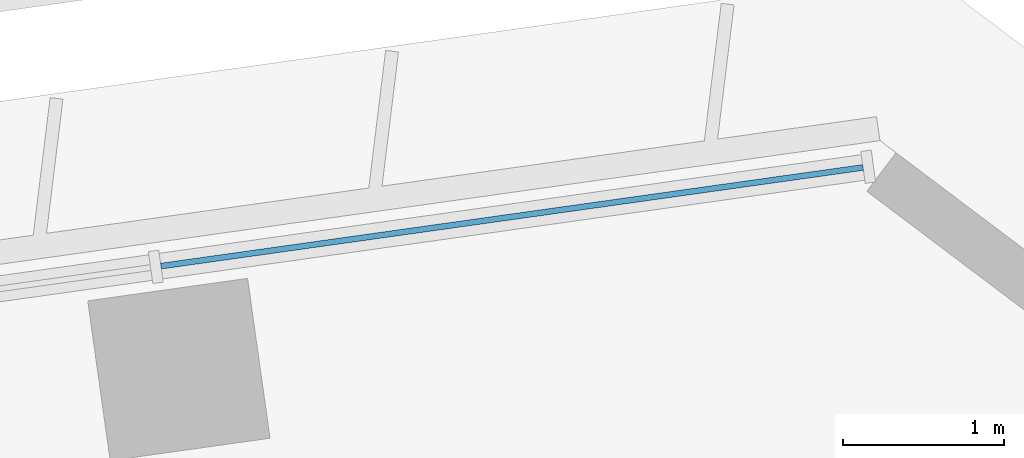
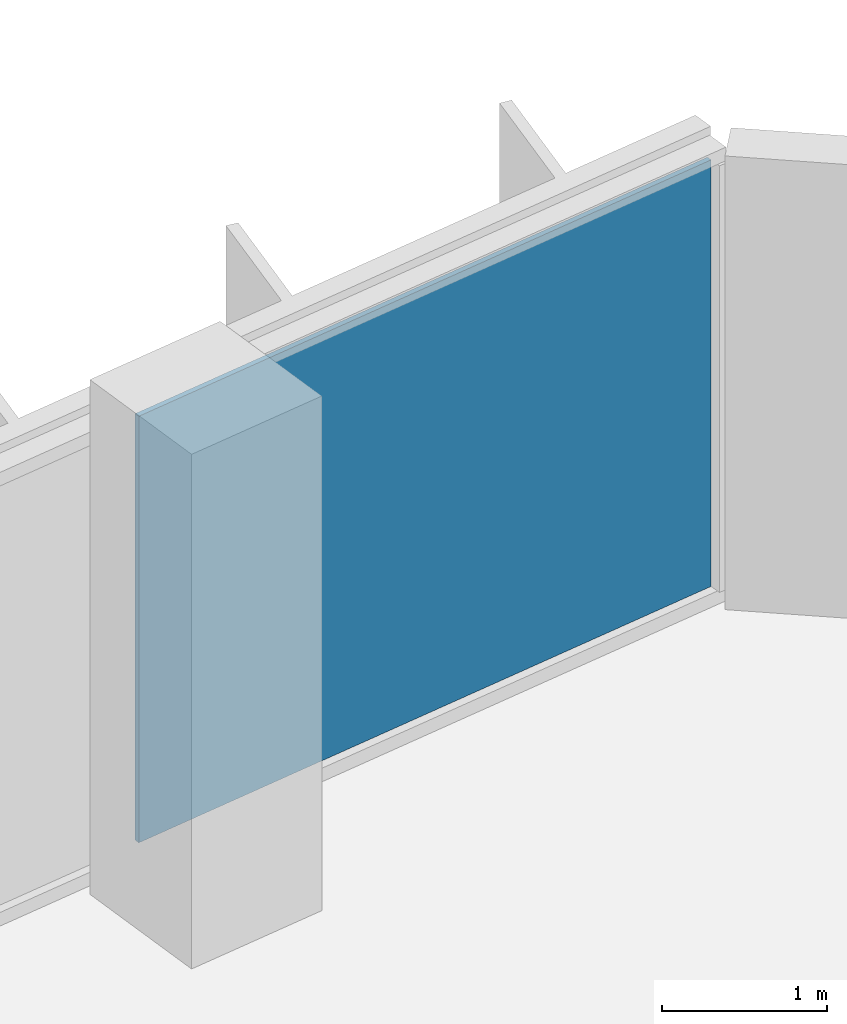
# One storey, part 37 of 49: 1 plate, 1 element without a shape of its own.
"""IFC4 building model written with IfcOpenShell, lengths in metres."""

from ifc_helpers import new_model, si_unit, direction, frame, origin, origin_2d, place, context, subcontext, project, spatial, rectangle, extrude, material, layer, layer_set, type_object, element, aggregate, save


model = new_model("IFC4")

# Units and contexts
model_context = context("Model", 3, precision=1e-05, world=origin(), true_north=direction((0.0, 1.0)))
body_context = subcontext(model_context, "Body", "Model", "MODEL_VIEW")
ifc_project = project(units=[si_unit("LENGTHUNIT", "METRE"), si_unit("AREAUNIT", "SQUARE_METRE"), si_unit("VOLUMEUNIT", "CUBIC_METRE"), si_unit("PLANEANGLEUNIT", "RADIAN"), si_unit("MASSUNIT", "GRAM", prefix="KILO")], contexts=[model_context])

# Site, building, storey
site_placement = place(None, origin())
site = spatial("IfcSite", under=ifc_project, at=site_placement, CompositionType="ELEMENT")
building_placement = place(site_placement, origin())
building = spatial("IfcBuilding", under=site, at=building_placement, Name="Mirante Cascada Hotel Towers", CompositionType="ELEMENT")
storey_placement = place(building_placement, frame((0.0, 0.0, 66.1)))
storey = spatial("IfcBuildingStorey", under=building, at=storey_placement, Name="L13", CompositionType="ELEMENT", Elevation=66.1)

# Curtain wall, plate
ifc_material_1 = material(Name="Aluminium mullion and transom frame with clear laminated glass", Category="aluminium")
curtain_wall_type = type_object("IfcCurtainWallType", Name="Ribbon curtain wall ECW1", PredefinedType="NOTDEFINED", material=ifc_material_1)
curtain_wall_placement = place(storey_placement, origin())
curtain_wall = element("IfcCurtainWall", 1, at=curtain_wall_placement, inside=storey, type_object=curtain_wall_type, Name="Front ribbon wall T2 L13", PredefinedType="NOTDEFINED")
ifc_material_2 = material(Name="Clear laminated glass", Category="glass")
ifc_layer = layer(ifc_material_2, 0.036)
ifc_layer_set = layer_set([ifc_layer], Name="ECW1 glass panel 36")
plate_type = type_object("IfcPlateType", Name="ECW1 glass panel 36", PredefinedType="CURTAIN_PANEL", material=ifc_layer_set)
plate_placement = place(storey_placement, frame((91.9184, 25.7373, 0.1), z_axis=(0.0, 0.0, 1.0), x_axis=(-0.9902681, -0.1391731, 0.0)))
plate = element("IfcPlate", 2, at=plate_placement, type_object=plate_type, Name="ECW1 panel 1", PredefinedType="CURTAIN_PANEL", context=body_context, shape_type="SweptSolid", body=[
    extrude(rectangle(XDim=4.3936, YDim=0.036, at=origin_2d()), origin(), (0.0, 0.0, 1.0), 3.15),
])
aggregate(curtain_wall, [plate])

save(model, "model.ifc")
